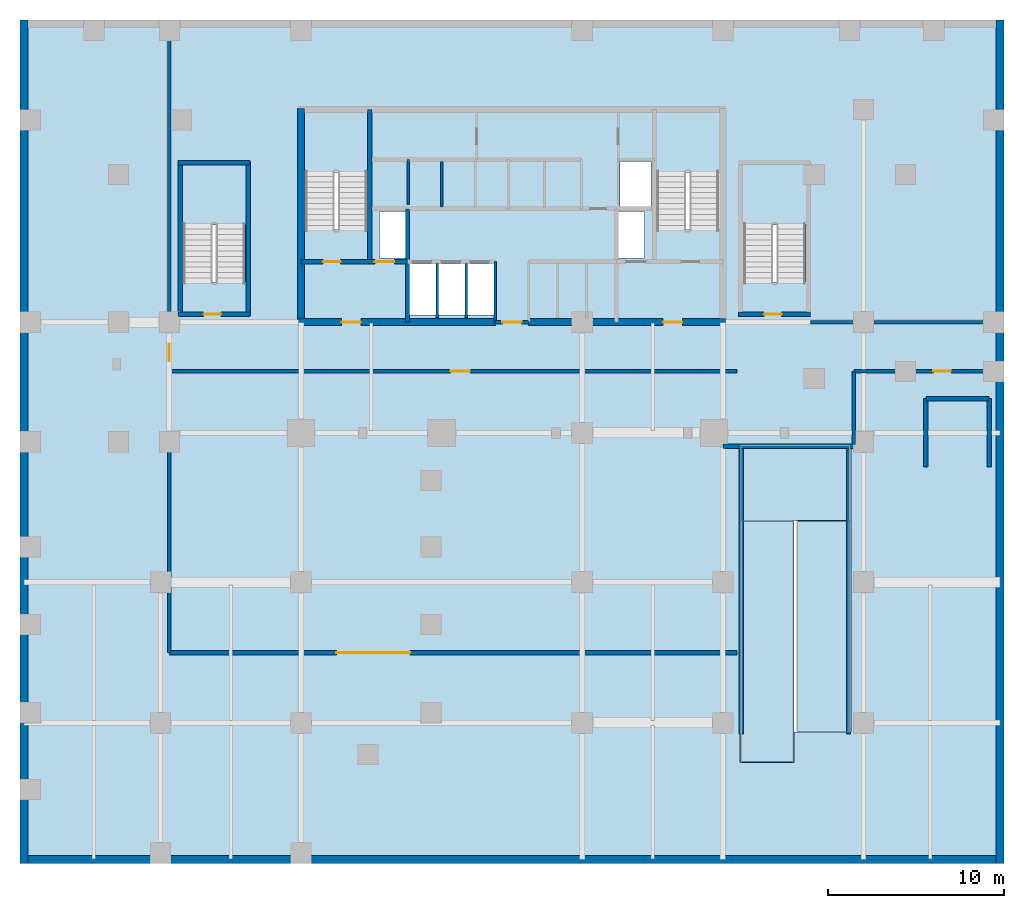
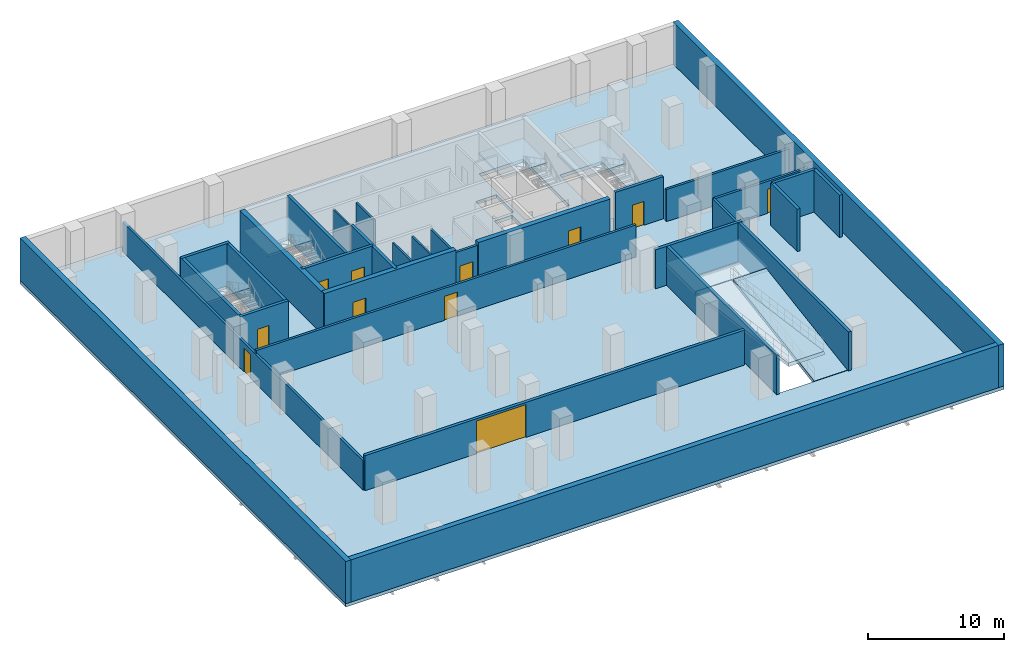
# One storey, part 2 of 5: 32 walls, 11 doors, 8 slabs, 11 openings, 4 elements without a shape of their own.
"""IFC4 building model written with IfcOpenShell, lengths in metres."""

from ifc_helpers import new_model, si_unit, direction, frame, frame_2d, origin, place, context, subcontext, project, spatial, polyline, rectangle, outline, extrude, material, layer, layer_set, type_object, element, fill, aggregate, save


model = new_model("IFC4")

# Units and contexts
model_context = context("Model", 3, precision=1e-05, world=origin(), true_north=direction((0.0, 1.0)))
body_context = subcontext(model_context, "Body", "Model", "MODEL_VIEW")
ifc_project = project(units=[si_unit("LENGTHUNIT", "METRE"), si_unit("AREAUNIT", "SQUARE_METRE"), si_unit("VOLUMEUNIT", "CUBIC_METRE"), si_unit("PLANEANGLEUNIT", "RADIAN"), si_unit("MASSUNIT", "GRAM", prefix="KILO")], contexts=[model_context])

# Site, building, storey
site_placement = place(None, origin())
site = spatial("IfcSite", under=ifc_project, at=site_placement, CompositionType="ELEMENT")
building_placement = place(site_placement, origin())
building = spatial("IfcBuilding", under=site, at=building_placement, Name="Catumbela Crestline Tower", CompositionType="ELEMENT")
storey_placement = place(building_placement, frame((0.0, 0.0, -9.4)))
storey = spatial("IfcBuildingStorey", under=building, at=storey_placement, Name="B02", CompositionType="ELEMENT", Elevation=-9.4)

# Slab
ifc_material_1 = material(Name="Concrete C45/55", Category="concrete")
ifc_layer_1 = layer(ifc_material_1, 0.3, Name="Concrete C45/55")
ifc_layer_set_1 = layer_set([ifc_layer_1], Name="Concrete C45/55")
slab_type_1 = type_object("IfcSlabType", Name="SL-300B", PredefinedType="FLOOR", material=ifc_layer_set_1)
slab_1_placement = place(storey_placement, frame((0.0, 0.0, -0.3)))
element("IfcSlab", 1, at=slab_1_placement, inside=storey, type_object=slab_type_1, Name="B02 Structural Floor Slab", PredefinedType="FLOOR", context=body_context, shape_type="SweptSolid", body=[
    extrude(outline(polyline([(0.0, 0.0), (56.0, 0.0), (56.0, 48.0), (0.0, 48.0), (0.0, 0.0)]), holes=[polyline([(16.13, 36.08), (19.87, 36.08), (19.87, 42.92), (16.13, 42.92), (16.13, 36.08)]), polyline([(36.13, 36.08), (39.87, 36.08), (39.87, 42.92), (36.13, 42.92), (36.13, 36.08)]), polyline([(12.8, 33.08), (12.8, 39.8), (9.3, 39.8), (9.3, 33.08), (12.8, 33.08)]), polyline([(44.7, 33.08), (44.7, 39.8), (41.2, 39.8), (41.2, 33.08), (44.7, 33.08)]), polyline([(22.15, 31.2), (27.0, 31.2), (27.0, 34.1), (22.15, 34.1), (22.15, 31.2)]), polyline([(20.45, 34.45), (21.95, 34.45), (21.95, 37.1), (20.45, 37.1), (20.45, 34.45)]), polyline([(34.05, 34.45), (35.55, 34.45), (35.55, 37.1), (34.05, 37.1), (34.05, 34.45)]), polyline([(34.15, 37.4), (35.9, 37.4), (35.9, 39.95), (34.15, 39.95), (34.15, 37.4)]), polyline([(40.96, 7.48), (47.28, 7.48), (47.28, 23.86), (40.96, 23.86), (40.96, 7.48)])]), origin(), (0.0, 0.0, 1.0), 0.3),
])

# Stair, slab
stair_type = type_object("IfcStairType", Name="ST-DLG", PredefinedType="HALF_TURN_STAIR", material=ifc_material_1)
stair_1_placement = place(storey_placement, origin())
stair_1 = element("IfcStair", 2, at=stair_1_placement, inside=storey, type_object=stair_type, Name="B02 West Core Pressurised Exit Stair ST-01", PredefinedType="HALF_TURN_STAIR")
ifc_layer_2 = layer(ifc_material_1, 0.2, Name="Concrete C45/55")
ifc_layer_set_2 = layer_set([ifc_layer_2], Name="Concrete C45/55")
slab_type_2 = type_object("IfcSlabType", Name="SL-LND", PredefinedType="LANDING", material=ifc_layer_set_2)
slab_2_placement = place(storey_placement, frame((0.0, 0.0, 1.7)))
slab_2 = element("IfcSlab", 3, at=slab_2_placement, type_object=slab_type_2, Name="ST-01 landing 1", PredefinedType="LANDING", context=body_context, shape_type="SweptSolid", body=[
    extrude(outline(polyline([(19.91, 39.33), (19.91, 42.96), (16.09, 42.96), (16.09, 39.33), (19.91, 39.33)])), origin(), (0.0, 0.0, 1.0), 0.2),
])
aggregate(stair_1, [slab_2])

stair_2_placement = place(storey_placement, origin())
stair_2 = element("IfcStair", 4, at=stair_2_placement, inside=storey, type_object=stair_type, Name="B02 East Core Pressurised Exit Stair ST-02", PredefinedType="HALF_TURN_STAIR")
slab_3_placement = place(storey_placement, frame((0.0, 0.0, 1.7)))
slab_3 = element("IfcSlab", 5, at=slab_3_placement, type_object=slab_type_2, Name="ST-02 landing 1", PredefinedType="LANDING", context=body_context, shape_type="SweptSolid", body=[
    extrude(outline(polyline([(39.91, 39.33), (39.91, 42.96), (36.09, 42.96), (36.09, 39.33), (39.91, 39.33)])), origin(), (0.0, 0.0, 1.0), 0.2),
])
aggregate(stair_2, [slab_3])

stair_3_placement = place(storey_placement, origin())
stair_3 = element("IfcStair", 6, at=stair_3_placement, inside=storey, type_object=stair_type, Name="B02 South-West Podium Exit Stair ST-03", PredefinedType="HALF_TURN_STAIR")
slab_4_placement = place(storey_placement, frame((0.0, 0.0, 1.7)))
slab_4 = element("IfcSlab", 7, at=slab_4_placement, type_object=slab_type_2, Name="ST-03 landing 1", PredefinedType="LANDING", context=body_context, shape_type="SweptSolid", body=[
    extrude(outline(polyline([(12.96, 36.33), (12.96, 39.96), (9.14, 39.96), (9.14, 36.33), (12.96, 36.33)])), origin(), (0.0, 0.0, 1.0), 0.2),
])
aggregate(stair_3, [slab_4])

stair_4_placement = place(storey_placement, origin())
stair_4 = element("IfcStair", 8, at=stair_4_placement, inside=storey, type_object=stair_type, Name="B02 East Galleria Podium Exit Stair ST-04", PredefinedType="HALF_TURN_STAIR")
slab_5_placement = place(storey_placement, frame((0.0, 0.0, 1.7)))
slab_5 = element("IfcSlab", 9, at=slab_5_placement, type_object=slab_type_2, Name="ST-04 landing 1", PredefinedType="LANDING", context=body_context, shape_type="SweptSolid", body=[
    extrude(outline(polyline([(44.86, 36.33), (44.86, 39.96), (41.04, 39.96), (41.04, 36.33), (44.86, 36.33)])), origin(), (0.0, 0.0, 1.0), 0.2),
])
aggregate(stair_4, [slab_5])

# Slabs
ifc_material_2 = material(Name="Concrete C50/60", Category="concrete")
ifc_layer_3 = layer(ifc_material_2, 0.35, Name="Concrete C50/60")
ifc_layer_set_3 = layer_set([ifc_layer_3], Name="Concrete C50/60")
slab_type_3 = type_object("IfcSlabType", Name="SL-RMP-350", PredefinedType="LANDING", material=ifc_layer_set_3)
slab_6_placement = place(storey_placement, frame((0.0, 0.0, 1.55)))
element("IfcSlab", 10, at=slab_6_placement, inside=storey, type_object=slab_type_3, Name="B02 Vehicle Ramp Mid-Landing Slab", PredefinedType="LANDING", context=body_context, shape_type="SweptSolid", body=[
    extrude(outline(polyline([(40.98, 19.52), (47.26, 19.52), (47.26, 23.84), (40.98, 23.84), (40.98, 19.52)])), origin(), (0.0, 0.0, 1.0), 0.35),
])
ifc_material_3 = material(Name="Concrete C40/50", Category="concrete")
ifc_layer_4 = layer(ifc_material_3, 0.3, Name="Concrete C40/50")
ifc_layer_set_4 = layer_set([ifc_layer_4], Name="Concrete C40/50")
slab_type_4 = type_object("IfcSlabType", Name="SVR-300", PredefinedType="FLOOR", material=ifc_layer_set_4)
slab_7_placement = place(storey_placement, frame((44.2, 7.52, 0.0), z_axis=(0.0, -0.156895395456, 0.987615226131), x_axis=(1.0, 0.0, 0.0)))
element("IfcSlab", 11, at=slab_7_placement, inside=storey, type_object=slab_type_4, Name="B02 Sloped Structural Vehicle Ramp Lower Slab", PredefinedType="FLOOR", context=body_context, shape_type="SweptSolid", body=[
    extrude(outline(polyline([(0.0, 0.0), (3.039999999999999, 0.0), (3.039999999999999, 12.109979355886617), (0.0, 12.109979355886617), (0.0, 0.0)])), origin(), (0.0, 0.0, -1.0), 0.3),
])
slab_8_placement = place(storey_placement, frame((40.98, 5.78, 3.8), z_axis=(0.0, 0.137371334088, 0.990519619478), x_axis=(1.0, 0.0, 0.0)))
element("IfcSlab", 12, at=slab_8_placement, inside=storey, type_object=slab_type_4, Name="B02 Sloped Structural Vehicle Ramp Upper Slab", PredefinedType="FLOOR", context=body_context, shape_type="SweptSolid", body=[
    extrude(outline(polyline([(0.0, 0.0), (3.0600000000000023, 0.0), (3.0600000000000023, 13.831124321616082), (0.0, 13.831124321616082), (0.0, 0.0)])), origin(), (0.0, 0.0, -1.0), 0.3),
])

# Wall, opening, door
ifc_material_4 = material(Name="Acoustic gypsum and mineral-wool partition")
ifc_layer_5 = layer(ifc_material_4, 0.25, Name="Acoustic gypsum and mineral-wool partition")
ifc_layer_set_5 = layer_set([ifc_layer_5], Name="Acoustic gypsum and mineral-wool partition")
wall_type_1 = type_object("IfcWallType", Name="WB-250", PredefinedType="STANDARD", material=ifc_layer_set_5)
wall_1_placement = place(storey_placement, frame((8.5, 12.0, 0.0), z_axis=(0.0, 0.0, 1.0), x_axis=(1.0, 0.0, 0.0)))
wall_1 = element("IfcWall", 13, at=wall_1_placement, inside=storey, type_object=wall_type_1, Name="B02 Car Park Fire Compartment Wall", PredefinedType="STANDARD", context=body_context, shape_type="SweptSolid", body=[
    extrude(rectangle(XDim=32.3, YDim=0.25, at=frame_2d((16.15, 0.0))), origin(), (0.0, 0.0, 1.0), 3.15),
])
opening_1_placement = place(wall_1_placement, frame((9.5, 0.0, 0.0)))
opening_1 = element("IfcOpeningElement", 14, at=opening_1_placement, cuts=wall_1, Name="Opening DG-03", PredefinedType="OPENING", context=body_context, shape_type="SweptSolid", body=[
    extrude(rectangle(XDim=4.2, YDim=2.95, at=frame_2d((2.1, 1.475))), frame((0.0, 0.135, 0.0), z_axis=(0.0, -1.0, 0.0), x_axis=(1.0, 0.0, 0.0)), (0.0, 0.0, 1.0), 0.27),
])
ifc_material_5 = material(Name="Stainless steel EN 1.4401", Category="steel")
door_type_1 = type_object("IfcDoorType", Name="DG-4200", OperationType="NOTDEFINED", PredefinedType="GATE", material=ifc_material_5)
door_1_placement = place(opening_1_placement, origin())
door_1 = element("IfcDoor", 15, at=door_1_placement, inside=storey, type_object=door_type_1, Name="B02 Security Vehicle Gate 3", OperationType="ROLLINGUP", OverallHeight=2.95, OverallWidth=4.2, PredefinedType="GATE", context=body_context, shape_type="SweptSolid", body=[
    extrude(rectangle(XDim=4.2, YDim=2.95, at=frame_2d((2.1, 1.475))), frame((0.0, 0.025, 0.0), z_axis=(0.0, -1.0, 0.0), x_axis=(1.0, 0.0, 0.0)), (0.0, 0.0, 1.0), 0.05),
])
fill(opening_1, door_1)

# Walls
ifc_layer_6 = layer(ifc_material_2, 0.25, Name="Concrete C50/60")
ifc_layer_set_6 = layer_set([ifc_layer_6], Name="Concrete C50/60")
wall_type_2 = type_object("IfcWallType", Name="CW-250D", PredefinedType="SHEAR", material=ifc_layer_set_6)
wall_2_placement = place(storey_placement, frame((19.9, 34.25, 0.0), z_axis=(0.0, 0.0, 1.0), x_axis=(0.0, 1.0, 0.0)))
element("IfcWall", 16, at=wall_2_placement, inside=storey, type_object=wall_type_2, Name="B02 Structural Core Shear Wall WWEB", PredefinedType="SHEAR", context=body_context, shape_type="SweptSolid", body=[
    extrude(rectangle(XDim=8.65, YDim=0.25, at=frame_2d((4.325, 0.0))), origin(), (0.0, 0.0, 1.0), 3.8),
])
wall_3_placement = place(storey_placement, frame((22.05, 30.8, 0.0), z_axis=(0.0, 0.0, 1.0), x_axis=(0.0, 1.0, 0.0)))
element("IfcWall", 17, at=wall_3_placement, inside=storey, type_object=wall_type_2, Name="B02 Structural Core Shear Wall FFW", PredefinedType="SHEAR", context=body_context, shape_type="SweptSolid", body=[
    extrude(rectangle(XDim=6.45, YDim=0.25, at=frame_2d((3.225, 0.0))), origin(), (0.0, 0.0, 1.0), 3.8),
])

# Wall, openings, doors
wall_4_placement = place(storey_placement, frame((16.0, 34.25, 0.0), z_axis=(0.0, 0.0, 1.0), x_axis=(1.0, 0.0, 0.0)))
wall_4 = element("IfcWall", 18, at=wall_4_placement, inside=storey, type_object=wall_type_2, Name="B02 Structural Core Shear Wall ST1S", PredefinedType="SHEAR", context=body_context, shape_type="SweptSolid", body=[
    extrude(rectangle(XDim=6.05, YDim=0.25, at=frame_2d((3.025, 0.0))), origin(), (0.0, 0.0, 1.0), 3.8),
])
opening_2_placement = place(wall_4_placement, frame((1.25, 0.0, 0.0)))
opening_2 = element("IfcOpeningElement", 19, at=opening_2_placement, cuts=wall_4, Name="Opening DF9-100", PredefinedType="OPENING", context=body_context, shape_type="SweptSolid", body=[
    extrude(rectangle(XDim=1.0, YDim=2.15, at=frame_2d((0.5, 1.075))), frame((0.0, 0.135, 0.0), z_axis=(0.0, -1.0, 0.0), x_axis=(1.0, 0.0, 0.0)), (0.0, 0.0, 1.0), 0.27),
])
opening_3_placement = place(wall_4_placement, frame((4.2, 0.0, 0.0)))
opening_3 = element("IfcOpeningElement", 20, at=opening_3_placement, cuts=wall_4, Name="Opening LD-110", PredefinedType="OPENING", context=body_context, shape_type="SweptSolid", body=[
    extrude(rectangle(XDim=1.1, YDim=2.15, at=frame_2d((0.55, 1.075))), frame((0.0, 0.135, 0.0), z_axis=(0.0, -1.0, 0.0), x_axis=(1.0, 0.0, 0.0)), (0.0, 0.0, 1.0), 0.27),
])
door_type_2 = type_object("IfcDoorType", Name="DF9-100", OperationType="NOTDEFINED", PredefinedType="DOOR", material=ifc_material_5)
door_2_placement = place(opening_2_placement, origin())
door_2 = element("IfcDoor", 21, at=door_2_placement, inside=storey, type_object=door_type_2, Name="B02 Interior Door DR-B02-ST01", OperationType="SINGLE_SWING_LEFT", OverallHeight=2.15, OverallWidth=1.0, PredefinedType="DOOR", context=body_context, shape_type="SweptSolid", body=[
    extrude(rectangle(XDim=1.0, YDim=2.15, at=frame_2d((0.5, 1.075))), frame((0.0, 0.025, 0.0), z_axis=(0.0, -1.0, 0.0), x_axis=(1.0, 0.0, 0.0)), (0.0, 0.0, 1.0), 0.05),
])
fill(opening_2, door_2)
door_type_3 = type_object("IfcDoorType", Name="LD-110", OperationType="NOTDEFINED", PredefinedType="DOOR", material=ifc_material_5)
door_3_placement = place(opening_3_placement, origin())
door_3 = element("IfcDoor", 22, at=door_3_placement, inside=storey, type_object=door_type_3, Name="B02 Lift Landing Sliding Door FL-01", OperationType="DOUBLE_DOOR_SLIDING", OverallHeight=2.15, OverallWidth=1.1, PredefinedType="DOOR", context=body_context, shape_type="SweptSolid", body=[
    extrude(rectangle(XDim=1.1, YDim=2.15, at=frame_2d((0.55, 1.075))), frame((0.0, 0.025, 0.0), z_axis=(0.0, -1.0, 0.0), x_axis=(1.0, 0.0, 0.0)), (0.0, 0.0, 1.0), 0.05),
])
fill(opening_3, door_3)

# Walls
for number, where, z_axis, x_axis, name in (
    (23, (9.12, 31.15, 0.0), (0.0, 0.0, 1.0), (0.0, 1.0, 0.0), "B02 Structural Core Shear Wall ST3W"),
    (24, (12.98, 31.15, 0.0), (0.0, 0.0, 1.0), (0.0, 1.0, 0.0), "B02 Structural Core Shear Wall ST3E"),
):
    element("IfcWall", number, at=place(storey_placement, frame(where, z_axis=z_axis, x_axis=x_axis)), inside=storey, type_object=wall_type_2, Name=name, PredefinedType="SHEAR", context=body_context, shape_type="SweptSolid", body=[
        extrude(rectangle(XDim=8.8, YDim=0.25, at=frame_2d((4.4, 0.0))), origin(), (0.0, 0.0, 1.0), 3.8),
    ])
wall_5_placement = place(storey_placement, frame((9.0, 39.88, 0.0), z_axis=(0.0, 0.0, 1.0), x_axis=(1.0, 0.0, 0.0)))
element("IfcWall", 25, at=wall_5_placement, inside=storey, type_object=wall_type_2, Name="B02 Structural Core Shear Wall ST3N", PredefinedType="SHEAR", context=body_context, shape_type="SweptSolid", body=[
    extrude(rectangle(XDim=4.1, YDim=0.25, at=frame_2d((2.05, 0.0))), origin(), (0.0, 0.0, 1.0), 3.8),
])

# Wall, opening, door
wall_6_placement = place(storey_placement, frame((9.0, 31.25, 0.0), z_axis=(0.0, 0.0, 1.0), x_axis=(1.0, 0.0, 0.0)))
wall_6 = element("IfcWall", 26, at=wall_6_placement, inside=storey, type_object=wall_type_2, Name="B02 Structural Core Shear Wall ST3S", PredefinedType="SHEAR", context=body_context, shape_type="SweptSolid", body=[
    extrude(rectangle(XDim=4.1, YDim=0.25, at=frame_2d((2.05, 0.0))), origin(), (0.0, 0.0, 1.0), 3.8),
])
opening_4_placement = place(wall_6_placement, frame((1.45, 0.0, 0.0)))
opening_4 = element("IfcOpeningElement", 27, at=opening_4_placement, cuts=wall_6, Name="Opening DF9-100", PredefinedType="OPENING", context=body_context, shape_type="SweptSolid", body=[
    extrude(rectangle(XDim=1.0, YDim=2.15, at=frame_2d((0.5, 1.075))), frame((0.0, 0.135, 0.0), z_axis=(0.0, -1.0, 0.0), x_axis=(1.0, 0.0, 0.0)), (0.0, 0.0, 1.0), 0.27),
])
door_4_placement = place(opening_4_placement, origin())
door_4 = element("IfcDoor", 28, at=door_4_placement, inside=storey, type_object=door_type_2, Name="B02 Interior Door DR-B02-ST03", OperationType="SINGLE_SWING_LEFT", OverallHeight=2.15, OverallWidth=1.0, PredefinedType="DOOR", context=body_context, shape_type="SweptSolid", body=[
    extrude(rectangle(XDim=1.0, YDim=2.15, at=frame_2d((0.5, 1.075))), frame((0.0, 0.025, 0.0), z_axis=(0.0, -1.0, 0.0), x_axis=(1.0, 0.0, 0.0)), (0.0, 0.0, 1.0), 0.05),
])
fill(opening_4, door_4)

wall_7_placement = place(storey_placement, frame((40.9, 31.25, 0.0), z_axis=(0.0, 0.0, 1.0), x_axis=(1.0, 0.0, 0.0)))
wall_7 = element("IfcWall", 29, at=wall_7_placement, inside=storey, type_object=wall_type_2, Name="B02 Structural Core Shear Wall ST4S", PredefinedType="SHEAR", context=body_context, shape_type="SweptSolid", body=[
    extrude(rectangle(XDim=4.1, YDim=0.25, at=frame_2d((2.05, 0.0))), origin(), (0.0, 0.0, 1.0), 3.8),
])
opening_5_placement = place(wall_7_placement, frame((1.45, 0.0, 0.0)))
opening_5 = element("IfcOpeningElement", 30, at=opening_5_placement, cuts=wall_7, Name="Opening DF9-100", PredefinedType="OPENING", context=body_context, shape_type="SweptSolid", body=[
    extrude(rectangle(XDim=1.0, YDim=2.15, at=frame_2d((0.5, 1.075))), frame((0.0, 0.135, 0.0), z_axis=(0.0, -1.0, 0.0), x_axis=(1.0, 0.0, 0.0)), (0.0, 0.0, 1.0), 0.27),
])
door_5_placement = place(opening_5_placement, origin())
door_5 = element("IfcDoor", 31, at=door_5_placement, inside=storey, type_object=door_type_2, Name="B02 Interior Door DR-B02-ST04", OperationType="SINGLE_SWING_RIGHT", OverallHeight=2.15, OverallWidth=1.0, PredefinedType="DOOR", context=body_context, shape_type="SweptSolid", body=[
    extrude(rectangle(XDim=1.0, YDim=2.15, at=frame_2d((0.5, 1.075))), frame((0.0, 0.025, 0.0), z_axis=(0.0, -1.0, 0.0), x_axis=(1.0, 0.0, 0.0)), (0.0, 0.0, 1.0), 0.05),
])
fill(opening_5, door_5)

# Wall
ifc_material_6 = material(Name="Concrete C60/75", Category="concrete")
ifc_layer_7 = layer(ifc_material_6, 0.4, Name="Concrete C60/75")
ifc_layer_set_7 = layer_set([ifc_layer_7], Name="Concrete C60/75")
wall_type_3 = type_object("IfcWallType", Name="CW-400A", PredefinedType="SHEAR", material=ifc_layer_set_7)
wall_8_placement = place(storey_placement, frame((16.0, 30.65, 0.0), z_axis=(0.0, 0.0, 1.0), x_axis=(0.0, 1.0, 0.0)))
element("IfcWall", 32, at=wall_8_placement, inside=storey, type_object=wall_type_3, Name="B02 Structural Core Shear Wall W", PredefinedType="SHEAR", context=body_context, shape_type="SweptSolid", body=[
    extrude(rectangle(XDim=12.3, YDim=0.4, at=frame_2d((6.15, 0.0))), origin(), (0.0, 0.0, 1.0), 3.8),
])

# Wall, opening, door
wall_9_placement = place(storey_placement, frame((15.85, 30.8, 0.0), z_axis=(0.0, 0.0, 1.0), x_axis=(1.0, 0.0, 0.0)))
wall_9 = element("IfcWall", 33, at=wall_9_placement, inside=storey, type_object=wall_type_3, Name="B02 Structural Core Shear Wall SW", PredefinedType="SHEAR", context=body_context, shape_type="SweptSolid", body=[
    extrude(rectangle(XDim=11.2, YDim=0.4, at=frame_2d((5.6, 0.0))), origin(), (0.0, 0.0, 1.0), 3.8),
])
opening_6_placement = place(wall_9_placement, frame((2.45, 0.0, 0.0)))
opening_6 = element("IfcOpeningElement", 34, at=opening_6_placement, cuts=wall_9, Name="Opening DF9-110", PredefinedType="OPENING", context=body_context, shape_type="SweptSolid", body=[
    extrude(rectangle(XDim=1.1, YDim=2.15, at=frame_2d((0.55, 1.075))), frame((0.0, 0.21, 0.0), z_axis=(0.0, -1.0, 0.0), x_axis=(1.0, 0.0, 0.0)), (0.0, 0.0, 1.0), 0.42),
])
door_type_4 = type_object("IfcDoorType", Name="DF9-110", OperationType="NOTDEFINED", PredefinedType="DOOR", material=ifc_material_5)
door_6_placement = place(opening_6_placement, origin())
door_6 = element("IfcDoor", 35, at=door_6_placement, inside=storey, type_object=door_type_4, Name="B02 Interior Door DR-B02-FFW-S", OperationType="SINGLE_SWING_LEFT", OverallHeight=2.15, OverallWidth=1.1, PredefinedType="DOOR", context=body_context, shape_type="SweptSolid", body=[
    extrude(rectangle(XDim=1.1, YDim=2.15, at=frame_2d((0.55, 1.075))), frame((0.0, 0.025, 0.0), z_axis=(0.0, -1.0, 0.0), x_axis=(1.0, 0.0, 0.0)), (0.0, 0.0, 1.0), 0.05),
])
fill(opening_6, door_6)

wall_10_placement = place(storey_placement, frame((28.95, 30.8, 0.0), z_axis=(0.0, 0.0, 1.0), x_axis=(1.0, 0.0, 0.0)))
wall_10 = element("IfcWall", 36, at=wall_10_placement, inside=storey, type_object=wall_type_3, Name="B02 Structural Core Shear Wall SE", PredefinedType="SHEAR", context=body_context, shape_type="SweptSolid", body=[
    extrude(rectangle(XDim=11.2, YDim=0.4, at=frame_2d((5.6, 0.0))), origin(), (0.0, 0.0, 1.0), 3.8),
])
opening_7_placement = place(wall_10_placement, frame((7.65, 0.0, 0.0)))
opening_7 = element("IfcOpeningElement", 37, at=opening_7_placement, cuts=wall_10, Name="Opening DF9-110", PredefinedType="OPENING", context=body_context, shape_type="SweptSolid", body=[
    extrude(rectangle(XDim=1.1, YDim=2.15, at=frame_2d((0.55, 1.075))), frame((0.0, 0.21, 0.0), z_axis=(0.0, -1.0, 0.0), x_axis=(1.0, 0.0, 0.0)), (0.0, 0.0, 1.0), 0.42),
])
door_7_placement = place(opening_7_placement, origin())
door_7 = element("IfcDoor", 38, at=door_7_placement, inside=storey, type_object=door_type_4, Name="B02 Interior Door DR-B02-FFE-S", OperationType="SINGLE_SWING_RIGHT", OverallHeight=2.15, OverallWidth=1.1, PredefinedType="DOOR", context=body_context, shape_type="SweptSolid", body=[
    extrude(rectangle(XDim=1.1, YDim=2.15, at=frame_2d((0.55, 1.075))), frame((0.0, 0.025, 0.0), z_axis=(0.0, -1.0, 0.0), x_axis=(1.0, 0.0, 0.0)), (0.0, 0.0, 1.0), 0.05),
])
fill(opening_7, door_7)

ifc_layer_8 = layer(ifc_material_4, 0.2, Name="Acoustic gypsum and mineral-wool partition")
ifc_layer_set_8 = layer_set([ifc_layer_8], Name="Acoustic gypsum and mineral-wool partition")
wall_type_4 = type_object("IfcWallType", Name="WC-200", PredefinedType="PARTITIONING", material=ifc_layer_set_8)
wall_11_placement = place(storey_placement, frame((27.05, 30.8, 0.0), z_axis=(0.0, 0.0, 1.0), x_axis=(1.0, 0.0, 0.0)))
wall_11 = element("IfcWall", 39, at=wall_11_placement, inside=storey, type_object=wall_type_4, Name="B02 Interior Partition PW-B02-CLOBS", PredefinedType="PARTITIONING", context=body_context, shape_type="SweptSolid", body=[
    extrude(rectangle(XDim=1.9, YDim=0.2, at=frame_2d((0.95, 0.0))), origin(), (0.0, 0.0, 1.0), 3.49),
])
opening_8_placement = place(wall_11_placement, frame((0.4, 0.0, 0.0)))
opening_8 = element("IfcOpeningElement", 40, at=opening_8_placement, cuts=wall_11, Name="Opening DF9-110", PredefinedType="OPENING", context=body_context, shape_type="SweptSolid", body=[
    extrude(rectangle(XDim=1.1, YDim=2.15, at=frame_2d((0.55, 1.075))), frame((0.0, 0.11, 0.0), z_axis=(0.0, -1.0, 0.0), x_axis=(1.0, 0.0, 0.0)), (0.0, 0.0, 1.0), 0.22),
])
door_8_placement = place(opening_8_placement, origin())
door_8 = element("IfcDoor", 41, at=door_8_placement, inside=storey, type_object=door_type_4, Name="B02 Interior Door DR-B02-CLOBS", OperationType="SINGLE_SWING_LEFT", OverallHeight=2.15, OverallWidth=1.1, PredefinedType="DOOR", context=body_context, shape_type="SweptSolid", body=[
    extrude(rectangle(XDim=1.1, YDim=2.15, at=frame_2d((0.55, 1.075))), frame((0.0, 0.025, 0.0), z_axis=(0.0, -1.0, 0.0), x_axis=(1.0, 0.0, 0.0)), (0.0, 0.0, 1.0), 0.05),
])
fill(opening_8, door_8)

# Wall
wall_12_placement = place(storey_placement, frame((45.0, 30.8, 0.0), z_axis=(0.0, 0.0, 1.0), x_axis=(1.0, 0.0, 0.0)))
element("IfcWall", 42, at=wall_12_placement, inside=storey, type_object=wall_type_4, Name="B02 Interior Partition PW-B02-CORN-E", PredefinedType="PARTITIONING", context=body_context, shape_type="SweptSolid", body=[
    extrude(rectangle(XDim=10.45, YDim=0.2, at=frame_2d((5.225, 0.0))), origin(), (0.0, 0.0, 1.0), 2.88),
])

# Wall, opening, door
wall_13_placement = place(storey_placement, frame((8.5, 28.0, 0.0), z_axis=(0.0, 0.0, 1.0), x_axis=(1.0, 0.0, 0.0)))
wall_13 = element("IfcWall", 43, at=wall_13_placement, inside=storey, type_object=wall_type_4, Name="B02 Interior Partition PW-B02-PKN", PredefinedType="PARTITIONING", context=body_context, shape_type="SweptSolid", body=[
    extrude(rectangle(XDim=32.3, YDim=0.2, at=frame_2d((16.15, 0.0))), origin(), (0.0, 0.0, 1.0), 2.88),
])
opening_9_placement = place(wall_13_placement, frame((16.0, 0.0, 0.0)))
opening_9 = element("IfcOpeningElement", 44, at=opening_9_placement, cuts=wall_13, Name="Opening DF9-110", PredefinedType="OPENING", context=body_context, shape_type="SweptSolid", body=[
    extrude(rectangle(XDim=1.1, YDim=2.15, at=frame_2d((0.55, 1.075))), frame((0.0, 0.11, 0.0), z_axis=(0.0, -1.0, 0.0), x_axis=(1.0, 0.0, 0.0)), (0.0, 0.0, 1.0), 0.22),
])
door_9_placement = place(opening_9_placement, origin())
door_9 = element("IfcDoor", 45, at=door_9_placement, inside=storey, type_object=door_type_4, Name="B02 Interior Door DR-B02-PKN", OperationType="SINGLE_SWING_LEFT", OverallHeight=2.15, OverallWidth=1.1, PredefinedType="DOOR", context=body_context, shape_type="SweptSolid", body=[
    extrude(rectangle(XDim=1.1, YDim=2.15, at=frame_2d((0.55, 1.075))), frame((0.0, 0.025, 0.0), z_axis=(0.0, -1.0, 0.0), x_axis=(1.0, 0.0, 0.0)), (0.0, 0.0, 1.0), 0.05),
])
fill(opening_9, door_9)

wall_14_placement = place(storey_placement, frame((8.5, 12.0, 0.0), z_axis=(0.0, 0.0, 1.0), x_axis=(0.0, 1.0, 0.0)))
wall_14 = element("IfcWall", 46, at=wall_14_placement, inside=storey, type_object=wall_type_4, Name="B02 Interior Partition PW-B02-CIS", PredefinedType="PARTITIONING", context=body_context, shape_type="SweptSolid", body=[
    extrude(rectangle(XDim=35.45, YDim=0.2, at=frame_2d((17.725, 0.0))), origin(), (0.0, 0.0, 1.0), 2.63),
])
opening_10_placement = place(wall_14_placement, frame((16.5737, 0.0, 0.0)))
opening_10 = element("IfcOpeningElement", 47, at=opening_10_placement, cuts=wall_14, Name="Opening DF9-100", PredefinedType="OPENING", context=body_context, shape_type="SweptSolid", body=[
    extrude(rectangle(XDim=1.0, YDim=2.15, at=frame_2d((0.5, 1.075))), frame((0.0, 0.11, 0.0), z_axis=(0.0, -1.0, 0.0), x_axis=(1.0, 0.0, 0.0)), (0.0, 0.0, 1.0), 0.22),
])
door_10_placement = place(opening_10_placement, origin())
door_10 = element("IfcDoor", 48, at=door_10_placement, inside=storey, type_object=door_type_2, Name="B02 Interior Door DR-B02-CIS", OperationType="SINGLE_SWING_LEFT", OverallHeight=2.15, OverallWidth=1.0, PredefinedType="DOOR", context=body_context, shape_type="SweptSolid", body=[
    extrude(rectangle(XDim=1.0, YDim=2.15, at=frame_2d((0.5, 1.075))), frame((0.0, 0.025, 0.0), z_axis=(0.0, -1.0, 0.0), x_axis=(1.0, 0.0, 0.0)), (0.0, 0.0, 1.0), 0.05),
])
fill(opening_10, door_10)

# Wall
wall_15_placement = place(storey_placement, frame((47.45, 23.85, 0.0), z_axis=(0.0, 0.0, 1.0), x_axis=(0.0, 1.0, 0.0)))
element("IfcWall", 49, at=wall_15_placement, inside=storey, type_object=wall_type_4, Name="B02 Interior Partition PW-B02-PKRMP-W", PredefinedType="PARTITIONING", context=body_context, shape_type="SweptSolid", body=[
    extrude(rectangle(XDim=4.15, YDim=0.2, at=frame_2d((2.075, 0.0))), origin(), (0.0, 0.0, 1.0), 2.88),
])

# Wall, opening, door
wall_16_placement = place(storey_placement, frame((47.45, 28.0, 0.0), z_axis=(0.0, 0.0, 1.0), x_axis=(1.0, 0.0, 0.0)))
wall_16 = element("IfcWall", 50, at=wall_16_placement, inside=storey, type_object=wall_type_4, Name="B02 Interior Partition PW-B02-PKRMP-N", PredefinedType="PARTITIONING", context=body_context, shape_type="SweptSolid", body=[
    extrude(rectangle(XDim=8.0, YDim=0.2, at=frame_2d((4.0, 0.0))), origin(), (0.0, 0.0, 1.0), 2.88),
])
opening_11_placement = place(wall_16_placement, frame((4.525, 0.0, 0.0)))
opening_11 = element("IfcOpeningElement", 51, at=opening_11_placement, cuts=wall_16, Name="Opening DF9-100", PredefinedType="OPENING", context=body_context, shape_type="SweptSolid", body=[
    extrude(rectangle(XDim=1.0, YDim=2.15, at=frame_2d((0.5, 1.075))), frame((0.0, 0.11, 0.0), z_axis=(0.0, -1.0, 0.0), x_axis=(1.0, 0.0, 0.0)), (0.0, 0.0, 1.0), 0.22),
])
door_11_placement = place(opening_11_placement, origin())
door_11 = element("IfcDoor", 52, at=door_11_placement, inside=storey, type_object=door_type_2, Name="B02 Interior Door DR-B02-PKRMP", OperationType="SINGLE_SWING_LEFT", OverallHeight=2.15, OverallWidth=1.0, PredefinedType="DOOR", context=body_context, shape_type="SweptSolid", body=[
    extrude(rectangle(XDim=1.0, YDim=2.15, at=frame_2d((0.5, 1.075))), frame((0.0, 0.025, 0.0), z_axis=(0.0, -1.0, 0.0), x_axis=(1.0, 0.0, 0.0)), (0.0, 0.0, 1.0), 0.05),
])
fill(opening_11, door_11)

# Walls
ifc_layer_9 = layer(ifc_material_2, 0.45, Name="Concrete C50/60")
ifc_layer_set_9 = layer_set([ifc_layer_9], Name="Concrete C50/60")
wall_type_5 = type_object("IfcWallType", Name="RW-450", PredefinedType="USERDEFINED", material=ifc_layer_set_9)
wall_17_placement = place(storey_placement, frame((0.0, 0.225, 0.0), z_axis=(0.0, 0.0, 1.0), x_axis=(1.0, 0.0, 0.0)))
element("IfcWall", 53, at=wall_17_placement, inside=storey, type_object=wall_type_5, Name="B02 Perimeter Diaphragm Retaining Wall S", ObjectType="RETAINING", PredefinedType="USERDEFINED", context=body_context, shape_type="SweptSolid", body=[
    extrude(rectangle(XDim=56.0, YDim=0.45, at=frame_2d((28.0, 0.0))), origin(), (0.0, 0.0, 1.0), 3.8),
])
for number, where, z_axis, x_axis, name in (
    (54, (0.225, 0.0, 0.0), (0.0, 0.0, 1.0), (0.0, 1.0, 0.0), "B02 Perimeter Diaphragm Retaining Wall W"),
    (55, (55.775, 0.0, 0.0), (0.0, 0.0, 1.0), (0.0, 1.0, 0.0), "B02 Perimeter Diaphragm Retaining Wall E"),
):
    element("IfcWall", number, at=place(storey_placement, frame(where, z_axis=z_axis, x_axis=x_axis)), inside=storey, type_object=wall_type_5, Name=name, ObjectType="RETAINING", PredefinedType="USERDEFINED", context=body_context, shape_type="SweptSolid", body=[
        extrude(rectangle(XDim=48.0, YDim=0.45, at=frame_2d((24.0, 0.0))), origin(), (0.0, 0.0, 1.0), 3.8),
    ])
ifc_layer_10 = layer(ifc_material_4, 0.15, Name="Acoustic gypsum and mineral-wool partition")
ifc_layer_set_10 = layer_set([ifc_layer_10], Name="Acoustic gypsum and mineral-wool partition")
wall_type_6 = type_object("IfcWallType", Name="WS-150", PredefinedType="PLUMBINGWALL", material=ifc_layer_set_10)
wall_18_placement = place(storey_placement, frame((27.05, 30.8, 0.0), z_axis=(0.0, 0.0, 1.0), x_axis=(0.0, 1.0, 0.0)))
element("IfcWall", 56, at=wall_18_placement, inside=storey, type_object=wall_type_6, Name="B02 Interior Partition PW-B02-THRW", PredefinedType="PLUMBINGWALL", context=body_context, shape_type="SweptSolid", body=[
    extrude(rectangle(XDim=3.45, YDim=0.15, at=frame_2d((1.725, 0.0))), origin(), (0.0, 0.0, 1.0), 3.49),
])
for number, where, z_axis, x_axis, name in (
    (57, (23.75, 31.05, 0.0), (0.0, 0.0, 1.0), (0.0, 1.0, 0.0), "B02 Interior Partition PW-B02-SHL1"),
    (58, (25.4, 31.05, 0.0), (0.0, 0.0, 1.0), (0.0, 1.0, 0.0), "B02 Interior Partition PW-B02-SHL2"),
):
    element("IfcWall", number, at=place(storey_placement, frame(where, z_axis=z_axis, x_axis=x_axis)), inside=storey, type_object=wall_type_6, Name=name, PredefinedType="PLUMBINGWALL", context=body_context, shape_type="SweptSolid", body=[
        extrude(rectangle(XDim=3.1, YDim=0.15, at=frame_2d((1.55, 0.0))), origin(), (0.0, 0.0, 1.0), 3.49),
    ])
wall_19_placement = place(storey_placement, frame((22.1, 37.4897, 0.0), z_axis=(0.0, 0.0, 1.0), x_axis=(0.0, 1.0, 0.0)))
element("IfcWall", 59, at=wall_19_placement, inside=storey, type_object=wall_type_6, Name="B02 Interior Partition PW-B02-SHH0", PredefinedType="PLUMBINGWALL", context=body_context, shape_type="SweptSolid", body=[
    extrude(rectangle(XDim=2.5603, YDim=0.15, at=frame_2d((1.2801, 0.0))), origin(), (0.0, 0.0, 1.0), 3.49),
])
wall_20_placement = place(storey_placement, frame((24.0, 37.35, 0.0), z_axis=(0.0, 0.0, 1.0), x_axis=(0.0, 1.0, 0.0)))
element("IfcWall", 60, at=wall_20_placement, inside=storey, type_object=wall_type_6, Name="B02 Interior Partition PW-B02-SHH1", PredefinedType="PLUMBINGWALL", context=body_context, shape_type="SweptSolid", body=[
    extrude(rectangle(XDim=2.6, YDim=0.15, at=frame_2d((1.3, 0.0))), origin(), (0.0, 0.0, 1.0), 3.49),
])
ifc_layer_11 = layer(ifc_material_1, 0.25, Name="Concrete C45/55")
ifc_layer_set_11 = layer_set([ifc_layer_11], Name="Concrete C45/55")
wall_type_7 = type_object("IfcWallType", Name="WS-200", PredefinedType="STANDARD", material=ifc_layer_set_11)
wall_21_placement = place(storey_placement, frame((40.0, 23.75, 0.0), z_axis=(0.0, 0.0, 1.0), x_axis=(1.0, 0.0, 0.0)))
element("IfcWall", 61, at=wall_21_placement, inside=storey, type_object=wall_type_7, Name="B02 Vehicle Ramp North Shaft Support Wall", PredefinedType="STANDARD", context=body_context, shape_type="SweptSolid", body=[
    extrude(rectangle(XDim=8.0, YDim=0.25, at=frame_2d((4.0, 0.0))), origin(), (0.0, 0.0, 1.0), 3.5),
])
for number, where, z_axis, x_axis, name in (
    (62, (47.15, 7.38, 0.0), (0.0, 0.0, 1.0), (0.0, 1.0, 0.0), "B02 Vehicle Ramp East Spine Support Wall"),
    (63, (41.05, 7.38, 0.0), (0.0, 0.0, 1.0), (0.0, 1.0, 0.0), "B02 Vehicle Ramp West Spine Support Wall"),
):
    element("IfcWall", number, at=place(storey_placement, frame(where, z_axis=z_axis, x_axis=x_axis)), inside=storey, type_object=wall_type_7, Name=name, PredefinedType="STANDARD", context=body_context, shape_type="SweptSolid", body=[
        extrude(rectangle(XDim=16.48, YDim=0.25, at=frame_2d((8.24, 0.0))), origin(), (0.0, 0.0, 1.0), 3.5),
    ])
for number, where, z_axis, x_axis, name in (
    (64, (51.55, 22.55, 0.0), (0.0, 0.0, 1.0), (0.0, 1.0, 0.0), "B02 Loading Dock Support Wall WL-B02-DKSUP-W"),
    (65, (55.15, 22.55, 0.0), (0.0, 0.0, 1.0), (0.0, 1.0, 0.0), "B02 Loading Dock Support Wall WL-B02-DKSUP-E"),
):
    element("IfcWall", number, at=place(storey_placement, frame(where, z_axis=z_axis, x_axis=x_axis)), inside=storey, type_object=wall_type_7, Name=name, PredefinedType="STANDARD", context=body_context, shape_type="SweptSolid", body=[
        extrude(rectangle(XDim=3.9, YDim=0.25, at=frame_2d((1.95, 0.0))), origin(), (0.0, 0.0, 1.0), 3.8),
    ])
wall_22_placement = place(storey_placement, frame((51.55, 26.45, 0.0), z_axis=(0.0, 0.0, 1.0), x_axis=(1.0, 0.0, 0.0)))
element("IfcWall", 66, at=wall_22_placement, inside=storey, type_object=wall_type_7, Name="B02 Loading Dock Support Wall WL-B02-DKSUP-N", PredefinedType="STANDARD", context=body_context, shape_type="SweptSolid", body=[
    extrude(rectangle(XDim=3.6, YDim=0.25, at=frame_2d((1.8, 0.0))), origin(), (0.0, 0.0, 1.0), 3.8),
])

save(model, "model.ifc")
